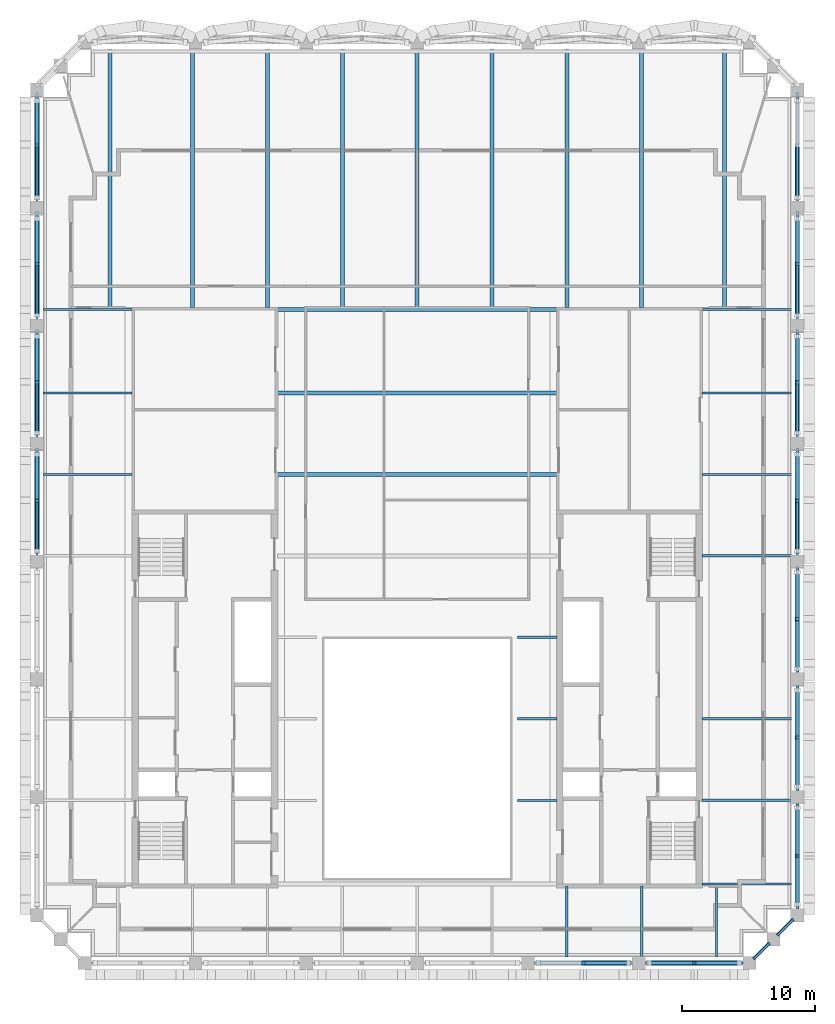
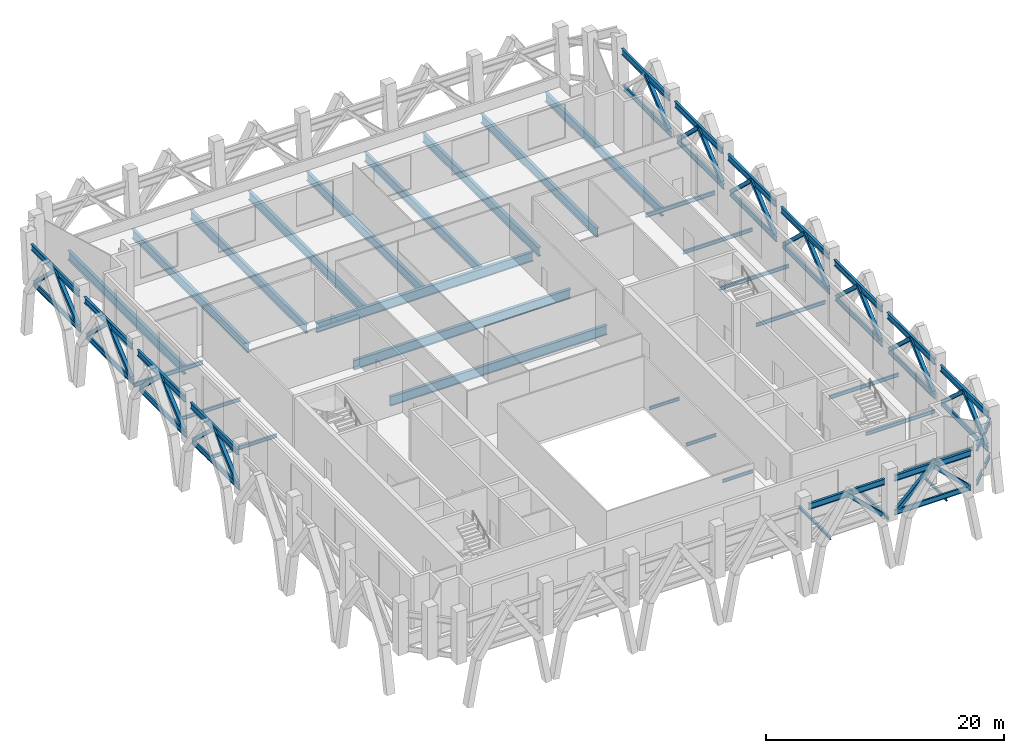
# One storey, part 2 of 13: 57 beams, 24 members.
"""IFC4 building model written with IfcOpenShell, lengths in metres."""

from ifc_helpers import new_model, si_unit, direction, frame, origin, origin_2d, place, context, subcontext, project, spatial, hollow_rectangle, i_section, extrude, material, material_profile, profile_set, type_object, element, save


model = new_model("IFC4")

# Units and contexts
model_context = context("Model", 3, precision=1e-05, world=origin(), true_north=direction((0.0, 1.0)))
body_context = subcontext(model_context, "Body", "Model", "MODEL_VIEW")
ifc_project = project(units=[si_unit("LENGTHUNIT", "METRE"), si_unit("AREAUNIT", "SQUARE_METRE"), si_unit("VOLUMEUNIT", "CUBIC_METRE"), si_unit("PLANEANGLEUNIT", "RADIAN"), si_unit("MASSUNIT", "GRAM", prefix="KILO")], contexts=[model_context])

# Site, building, storey
site_placement = place(None, origin())
site = spatial("IfcSite", under=ifc_project, at=site_placement, CompositionType="ELEMENT")
building_placement = place(site_placement, origin())
building = spatial("IfcBuilding", under=site, at=building_placement, Name="Ogive Exchange Tower", CompositionType="ELEMENT")
storey_placement = place(building_placement, frame((0.0, 0.0, 363.60009765625)))
storey = spatial("IfcBuildingStorey", under=building, at=storey_placement, Name="L80", CompositionType="ELEMENT", Elevation=363.60009765625)

# Beams
ifc_material_1 = material(Name="Steel ASTM A992 Gr50", Category="steel")
ifc_material_profile_1 = material_profile(ifc_material_1, i_section(OverallWidth=0.1669921875, OverallDepth=0.535888671875, WebThickness=0.01025390625, FlangeThickness=0.0166015625, at=origin_2d()), Name="W530x85")
ifc_profile_set_1 = profile_set([ifc_material_profile_1], Name="Steel ASTM A992 Gr50")
beam_type_1 = type_object("IfcBeamType", Name="Belt truss bottom chord W530x85", PredefinedType="BEAM", material=ifc_profile_set_1)
beam_1_placement = place(storey_placement, frame((17.179931640625, -8.39990234375, 0.39990234375), z_axis=(1.0, 0.0, 0.0), x_axis=(0.0, 1.0, 0.0)))
element("IfcBeam", 1, at=beam_1_placement, inside=storey, type_object=beam_type_1, Name="Belt truss bottom chord 6", PredefinedType="BEAM", context=body_context, shape_type="SweptSolid", body=[
    extrude(i_section(OverallWidth=0.1669921875, OverallDepth=0.535888671875, WebThickness=0.01025390625, FlangeThickness=0.0166015625, at=origin_2d()), origin(), (0.0, 0.0, 1.0), 7.39013671875),
])
for number, where, z_axis, x_axis, name in (
    (2, (25.337890625, -8.112060546875, 0.39990234375), (0.707106781187, 0.707106781187, 0.0), (-0.707106781187, 0.707106781187, 0.0), "Belt truss bottom chord 7"),
    (3, (27.137939453125, -6.31201171875, 0.39990234375), (0.707106781187, 0.707106781187, 0.0), (-0.707106781187, 0.707106781187, 0.0), "Belt truss bottom chord 8"),
):
    element("IfcBeam", number, at=place(storey_placement, frame(where, z_axis=z_axis, x_axis=x_axis)), inside=storey, type_object=beam_type_1, Name=name, PredefinedType="BEAM", context=body_context, shape_type="SweptSolid", body=[
        extrude(i_section(OverallWidth=0.1669921875, OverallDepth=0.535888671875, WebThickness=0.01025390625, FlangeThickness=0.0166015625, at=origin_2d()), origin(), (0.0, 0.0, 1.0), 1.731201171875),
    ])
for number, where, z_axis, x_axis, name in (
    (4, (28.64990234375, -4.320068359375, 0.39990234375), (0.0, 1.0, 0.0), (-1.0, 0.0, 0.0), "Belt truss bottom chord 9"),
    (5, (28.64990234375, 4.557861328125, 0.39990234375), (0.0, 1.0, 0.0), (-1.0, 0.0, 0.0), "Belt truss bottom chord 10"),
    (6, (28.64990234375, 13.435791015625, 0.39990234375), (0.0, 1.0, 0.0), (-1.0, 0.0, 0.0), "Belt truss bottom chord 11"),
    (7, (28.64990234375, 22.313720703125, 0.39990234375), (0.0, 1.0, 0.0), (-1.0, 0.0, 0.0), "Belt truss bottom chord 12"),
    (8, (28.64990234375, 31.191650390625, 0.39990234375), (0.0, 1.0, 0.0), (-1.0, 0.0, 0.0), "Belt truss bottom chord 13"),
    (9, (28.64990234375, 40.069580078125, 0.39990234375), (0.0, 1.0, 0.0), (-1.0, 0.0, 0.0), "Belt truss bottom chord 14"),
    (10, (28.64990234375, 48.947509765625, 0.39990234375), (0.0, 1.0, 0.0), (-1.0, 0.0, 0.0), "Belt truss bottom chord 15"),
    (11, (-28.64990234375, 56.865478515625, 0.39990234375), (0.0, -1.0, 0.0), (1.0, 0.0, 0.0), "Belt truss bottom chord 26"),
    (12, (-28.64990234375, 47.987548828125, 0.39990234375), (0.0, -1.0, 0.0), (1.0, 0.0, 0.0), "Belt truss bottom chord 27"),
    (13, (-28.64990234375, 39.109619140625, 0.39990234375), (0.0, -1.0, 0.0), (1.0, 0.0, 0.0), "Belt truss bottom chord 28"),
    (14, (-28.64990234375, 30.231689453125, 0.39990234375), (0.0, -1.0, 0.0), (1.0, 0.0, 0.0), "Belt truss bottom chord 29"),
):
    element("IfcBeam", number, at=place(storey_placement, frame(where, z_axis=z_axis, x_axis=x_axis)), inside=storey, type_object=beam_type_1, Name=name, PredefinedType="BEAM", context=body_context, shape_type="SweptSolid", body=[
        extrude(i_section(OverallWidth=0.1669921875, OverallDepth=0.535888671875, WebThickness=0.01025390625, FlangeThickness=0.0166015625, at=origin_2d()), origin(), (0.0, 0.0, 1.0), 7.91796875),
    ])

# Members
ifc_material_2 = material(Name="Steel ASTM A1085 Gr A", Category="steel")
ifc_material_profile_2 = material_profile(ifc_material_2, hollow_rectangle(XDim=0.35595703125, YDim=0.35595703125, WallThickness=0.015869140625, InnerFilletRadius=0.015869140625, OuterFilletRadius=0.03173828125, at=origin_2d()), Name="HSS355.6x355.6x15.9")
ifc_profile_set_2 = profile_set([ifc_material_profile_2], Name="Steel ASTM A1085 Gr A")
member_type = type_object("IfcMemberType", Name="Belt truss diagonal HSS355.6x355.6x15.9", PredefinedType="BRACE", material=ifc_profile_set_2)
member_1_placement = place(storey_placement, frame((15.922607421875, -8.39990234375, 0.685302734375), z_axis=(-0.721732329908, 0.0, 0.692172264661), x_axis=(0.0, -1.0, 0.0)))
element("IfcMember", 15, at=member_1_placement, inside=storey, type_object=member_type, Name="Belt truss diagonal 5b", PredefinedType="BRACE", context=body_context, shape_type="SweptSolid", body=[
    extrude(hollow_rectangle(XDim=0.35595703125, YDim=0.35595703125, WallThickness=0.015869140625, InnerFilletRadius=0.015869140625, OuterFilletRadius=0.03173828125, at=origin_2d()), origin(), (0.0, 0.0, 1.0), 4.707763671875),
])
for number, where, z_axis, x_axis, name in (
    (16, (17.4775390625, -8.39990234375, 0.685302734375), (0.721707482374, 0.0, 0.692198172409), (0.0, 1.0, 0.0), "Belt truss diagonal 6a"),
    (17, (24.2724609375, -8.39990234375, 0.685302734375), (-0.721707482374, 0.0, 0.692198172409), (0.0, -1.0, 0.0), "Belt truss diagonal 6b"),
):
    element("IfcMember", number, at=place(storey_placement, frame(where, z_axis=z_axis, x_axis=x_axis)), inside=storey, type_object=member_type, Name=name, PredefinedType="BRACE", context=body_context, shape_type="SweptSolid", body=[
        extrude(hollow_rectangle(XDim=0.35595703125, YDim=0.35595703125, WallThickness=0.015869140625, InnerFilletRadius=0.015869140625, OuterFilletRadius=0.03173828125, at=origin_2d()), origin(), (0.0, 0.0, 1.0), 4.70751953125),
    ])
member_2_placement = place(storey_placement, frame((28.64990234375, -4.000244140625, 0.6845703125), z_axis=(0.0, 0.74701904863, 0.664802633105), x_axis=(-1.0, 0.0, 0.0)))
element("IfcMember", 18, at=member_2_placement, inside=storey, type_object=member_type, Name="Belt truss diagonal 9a", PredefinedType="BRACE", context=body_context, shape_type="SweptSolid", body=[
    extrude(hollow_rectangle(XDim=0.35595703125, YDim=0.35595703125, WallThickness=0.015869140625, InnerFilletRadius=0.015869140625, OuterFilletRadius=0.03173828125, at=origin_2d()), origin(), (0.0, 0.0, 1.0), 4.902587890625),
])
member_3_placement = place(storey_placement, frame((28.64990234375, 3.28173828125, 0.6845703125), z_axis=(0.0, -0.743129630386, 0.669147481833), x_axis=(1.0, 0.0, 0.0)))
element("IfcMember", 19, at=member_3_placement, inside=storey, type_object=member_type, Name="Belt truss diagonal 9b", PredefinedType="BRACE", context=body_context, shape_type="SweptSolid", body=[
    extrude(hollow_rectangle(XDim=0.35595703125, YDim=0.35595703125, WallThickness=0.015869140625, InnerFilletRadius=0.015869140625, OuterFilletRadius=0.03173828125, at=origin_2d()), origin(), (0.0, 0.0, 1.0), 4.870849609375),
])
member_4_placement = place(storey_placement, frame((28.64990234375, 4.88134765625, 0.684326171875), z_axis=(0.0, 0.750765534704, 0.660568779084), x_axis=(-1.0, 0.0, 0.0)))
element("IfcMember", 20, at=member_4_placement, inside=storey, type_object=member_type, Name="Belt truss diagonal 10a", PredefinedType="BRACE", context=body_context, shape_type="SweptSolid", body=[
    extrude(hollow_rectangle(XDim=0.35595703125, YDim=0.35595703125, WallThickness=0.015869140625, InnerFilletRadius=0.015869140625, OuterFilletRadius=0.03173828125, at=origin_2d()), origin(), (0.0, 0.0, 1.0), 4.934326171875),
])
member_5_placement = place(storey_placement, frame((28.64990234375, 12.1630859375, 0.684814453125), z_axis=(0.0, -0.739211407114, 0.673473455744), x_axis=(1.0, 0.0, 0.0)))
element("IfcMember", 21, at=member_5_placement, inside=storey, type_object=member_type, Name="Belt truss diagonal 10b", PredefinedType="BRACE", context=body_context, shape_type="SweptSolid", body=[
    extrude(hollow_rectangle(XDim=0.35595703125, YDim=0.35595703125, WallThickness=0.015869140625, InnerFilletRadius=0.015869140625, OuterFilletRadius=0.03173828125, at=origin_2d()), origin(), (0.0, 0.0, 1.0), 4.839111328125),
])
member_6_placement = place(storey_placement, frame((28.64990234375, 13.7626953125, 0.684326171875), z_axis=(0.0, 0.75450709433, 0.656291889791), x_axis=(-1.0, 0.0, 0.0)))
element("IfcMember", 22, at=member_6_placement, inside=storey, type_object=member_type, Name="Belt truss diagonal 11a", PredefinedType="BRACE", context=body_context, shape_type="SweptSolid", body=[
    extrude(hollow_rectangle(XDim=0.35595703125, YDim=0.35595703125, WallThickness=0.015869140625, InnerFilletRadius=0.015869140625, OuterFilletRadius=0.03173828125, at=origin_2d()), origin(), (0.0, 0.0, 1.0), 4.966552734375),
])
member_7_placement = place(storey_placement, frame((28.64990234375, 21.044677734375, 0.684814453125), z_axis=(0.0, -0.735190744235, 0.677860287664), x_axis=(1.0, 0.0, 0.0)))
element("IfcMember", 23, at=member_7_placement, inside=storey, type_object=member_type, Name="Belt truss diagonal 11b", PredefinedType="BRACE", context=body_context, shape_type="SweptSolid", body=[
    extrude(hollow_rectangle(XDim=0.35595703125, YDim=0.35595703125, WallThickness=0.015869140625, InnerFilletRadius=0.015869140625, OuterFilletRadius=0.03173828125, at=origin_2d()), origin(), (0.0, 0.0, 1.0), 4.807861328125),
])
member_8_placement = place(storey_placement, frame((28.64990234375, 22.644287109375, 0.68408203125), z_axis=(0.0, 0.758110823606, 0.652125738744), x_axis=(-1.0, 0.0, 0.0)))
element("IfcMember", 24, at=member_8_placement, inside=storey, type_object=member_type, Name="Belt truss diagonal 12a", PredefinedType="BRACE", context=body_context, shape_type="SweptSolid", body=[
    extrude(hollow_rectangle(XDim=0.35595703125, YDim=0.35595703125, WallThickness=0.015869140625, InnerFilletRadius=0.015869140625, OuterFilletRadius=0.03173828125, at=origin_2d()), origin(), (0.0, 0.0, 1.0), 4.998779296875),
])
member_9_placement = place(storey_placement, frame((28.64990234375, 29.92626953125, 0.68505859375), z_axis=(0.0, -0.73114024493, 0.682227192542), x_axis=(1.0, 0.0, 0.0)))
element("IfcMember", 25, at=member_9_placement, inside=storey, type_object=member_type, Name="Belt truss diagonal 12b", PredefinedType="BRACE", context=body_context, shape_type="SweptSolid", body=[
    extrude(hollow_rectangle(XDim=0.35595703125, YDim=0.35595703125, WallThickness=0.015869140625, InnerFilletRadius=0.015869140625, OuterFilletRadius=0.03173828125, at=origin_2d()), origin(), (0.0, 0.0, 1.0), 4.776611328125),
])
member_10_placement = place(storey_placement, frame((28.64990234375, 31.52587890625, 0.68408203125), z_axis=(0.0, 0.761690213791, 0.647941369427), x_axis=(-1.0, 0.0, 0.0)))
element("IfcMember", 26, at=member_10_placement, inside=storey, type_object=member_type, Name="Belt truss diagonal 13a", PredefinedType="BRACE", context=body_context, shape_type="SweptSolid", body=[
    extrude(hollow_rectangle(XDim=0.35595703125, YDim=0.35595703125, WallThickness=0.015869140625, InnerFilletRadius=0.015869140625, OuterFilletRadius=0.03173828125, at=origin_2d()), origin(), (0.0, 0.0, 1.0), 5.031005859375),
])
member_11_placement = place(storey_placement, frame((28.64990234375, 38.8076171875, 0.68505859375), z_axis=(0.0, -0.726936104423, 0.686705104165), x_axis=(1.0, 0.0, 0.0)))
element("IfcMember", 27, at=member_11_placement, inside=storey, type_object=member_type, Name="Belt truss diagonal 13b", PredefinedType="BRACE", context=body_context, shape_type="SweptSolid", body=[
    extrude(hollow_rectangle(XDim=0.35595703125, YDim=0.35595703125, WallThickness=0.015869140625, InnerFilletRadius=0.015869140625, OuterFilletRadius=0.03173828125, at=origin_2d()), origin(), (0.0, 0.0, 1.0), 4.74560546875),
])
member_12_placement = place(storey_placement, frame((28.64990234375, 40.4072265625, 0.68408203125), z_axis=(0.0, 0.765201203046, 0.643791207503), x_axis=(-1.0, 0.0, 0.0)))
element("IfcMember", 28, at=member_12_placement, inside=storey, type_object=member_type, Name="Belt truss diagonal 14a", PredefinedType="BRACE", context=body_context, shape_type="SweptSolid", body=[
    extrude(hollow_rectangle(XDim=0.35595703125, YDim=0.35595703125, WallThickness=0.015869140625, InnerFilletRadius=0.015869140625, OuterFilletRadius=0.03173828125, at=origin_2d()), origin(), (0.0, 0.0, 1.0), 5.0634765625),
])
member_13_placement = place(storey_placement, frame((28.64990234375, 47.689208984375, 0.685302734375), z_axis=(0.0, -0.722723947005, 0.69113681455), x_axis=(1.0, 0.0, 0.0)))
element("IfcMember", 29, at=member_13_placement, inside=storey, type_object=member_type, Name="Belt truss diagonal 14b", PredefinedType="BRACE", context=body_context, shape_type="SweptSolid", body=[
    extrude(hollow_rectangle(XDim=0.35595703125, YDim=0.35595703125, WallThickness=0.015869140625, InnerFilletRadius=0.015869140625, OuterFilletRadius=0.03173828125, at=origin_2d()), origin(), (0.0, 0.0, 1.0), 4.71484375),
])
member_14_placement = place(storey_placement, frame((28.64990234375, 49.288818359375, 0.683837890625), z_axis=(0.0, 0.768621664089, 0.639703632547), x_axis=(-1.0, 0.0, 0.0)))
element("IfcMember", 30, at=member_14_placement, inside=storey, type_object=member_type, Name="Belt truss diagonal 15a", PredefinedType="BRACE", context=body_context, shape_type="SweptSolid", body=[
    extrude(hollow_rectangle(XDim=0.35595703125, YDim=0.35595703125, WallThickness=0.015869140625, InnerFilletRadius=0.015869140625, OuterFilletRadius=0.03173828125, at=origin_2d()), origin(), (0.0, 0.0, 1.0), 5.09619140625),
])
member_15_placement = place(storey_placement, frame((-28.64990234375, 56.57080078125, 0.685302734375), z_axis=(0.0, -0.718377770288, 0.695653203224), x_axis=(1.0, 0.0, 0.0)))
element("IfcMember", 31, at=member_15_placement, inside=storey, type_object=member_type, Name="Belt truss diagonal 26a", PredefinedType="BRACE", context=body_context, shape_type="SweptSolid", body=[
    extrude(hollow_rectangle(XDim=0.35595703125, YDim=0.35595703125, WallThickness=0.015869140625, InnerFilletRadius=0.015869140625, OuterFilletRadius=0.03173828125, at=origin_2d()), origin(), (0.0, 0.0, 1.0), 4.68408203125),
])
member_16_placement = place(storey_placement, frame((-28.64990234375, 49.288818359375, 0.683837890625), z_axis=(0.0, 0.768621664089, 0.639703632547), x_axis=(-1.0, 0.0, 0.0)))
element("IfcMember", 32, at=member_16_placement, inside=storey, type_object=member_type, Name="Belt truss diagonal 26b", PredefinedType="BRACE", context=body_context, shape_type="SweptSolid", body=[
    extrude(hollow_rectangle(XDim=0.35595703125, YDim=0.35595703125, WallThickness=0.015869140625, InnerFilletRadius=0.015869140625, OuterFilletRadius=0.03173828125, at=origin_2d()), origin(), (0.0, 0.0, 1.0), 5.09619140625),
])
member_17_placement = place(storey_placement, frame((-28.64990234375, 47.689208984375, 0.685302734375), z_axis=(0.0, -0.722723947005, 0.69113681455), x_axis=(1.0, 0.0, 0.0)))
element("IfcMember", 33, at=member_17_placement, inside=storey, type_object=member_type, Name="Belt truss diagonal 27a", PredefinedType="BRACE", context=body_context, shape_type="SweptSolid", body=[
    extrude(hollow_rectangle(XDim=0.35595703125, YDim=0.35595703125, WallThickness=0.015869140625, InnerFilletRadius=0.015869140625, OuterFilletRadius=0.03173828125, at=origin_2d()), origin(), (0.0, 0.0, 1.0), 4.71484375),
])
member_18_placement = place(storey_placement, frame((-28.64990234375, 40.4072265625, 0.68408203125), z_axis=(0.0, 0.765201203046, 0.643791207503), x_axis=(-1.0, 0.0, 0.0)))
element("IfcMember", 34, at=member_18_placement, inside=storey, type_object=member_type, Name="Belt truss diagonal 27b", PredefinedType="BRACE", context=body_context, shape_type="SweptSolid", body=[
    extrude(hollow_rectangle(XDim=0.35595703125, YDim=0.35595703125, WallThickness=0.015869140625, InnerFilletRadius=0.015869140625, OuterFilletRadius=0.03173828125, at=origin_2d()), origin(), (0.0, 0.0, 1.0), 5.0634765625),
])
member_19_placement = place(storey_placement, frame((-28.64990234375, 38.8076171875, 0.68505859375), z_axis=(0.0, -0.726936104423, 0.686705104165), x_axis=(1.0, 0.0, 0.0)))
element("IfcMember", 35, at=member_19_placement, inside=storey, type_object=member_type, Name="Belt truss diagonal 28a", PredefinedType="BRACE", context=body_context, shape_type="SweptSolid", body=[
    extrude(hollow_rectangle(XDim=0.35595703125, YDim=0.35595703125, WallThickness=0.015869140625, InnerFilletRadius=0.015869140625, OuterFilletRadius=0.03173828125, at=origin_2d()), origin(), (0.0, 0.0, 1.0), 4.74560546875),
])
member_20_placement = place(storey_placement, frame((-28.64990234375, 31.52587890625, 0.68408203125), z_axis=(0.0, 0.761690213791, 0.647941369427), x_axis=(-1.0, 0.0, 0.0)))
element("IfcMember", 36, at=member_20_placement, inside=storey, type_object=member_type, Name="Belt truss diagonal 28b", PredefinedType="BRACE", context=body_context, shape_type="SweptSolid", body=[
    extrude(hollow_rectangle(XDim=0.35595703125, YDim=0.35595703125, WallThickness=0.015869140625, InnerFilletRadius=0.015869140625, OuterFilletRadius=0.03173828125, at=origin_2d()), origin(), (0.0, 0.0, 1.0), 5.031005859375),
])
member_21_placement = place(storey_placement, frame((-28.64990234375, 29.92626953125, 0.68505859375), z_axis=(0.0, -0.73114024493, 0.682227192542), x_axis=(1.0, 0.0, 0.0)))
element("IfcMember", 37, at=member_21_placement, inside=storey, type_object=member_type, Name="Belt truss diagonal 29a", PredefinedType="BRACE", context=body_context, shape_type="SweptSolid", body=[
    extrude(hollow_rectangle(XDim=0.35595703125, YDim=0.35595703125, WallThickness=0.015869140625, InnerFilletRadius=0.015869140625, OuterFilletRadius=0.03173828125, at=origin_2d()), origin(), (0.0, 0.0, 1.0), 4.776611328125),
])
member_22_placement = place(storey_placement, frame((-28.64990234375, 22.644287109375, 0.68408203125), z_axis=(0.0, 0.758110823606, 0.652125738744), x_axis=(-1.0, 0.0, 0.0)))
element("IfcMember", 38, at=member_22_placement, inside=storey, type_object=member_type, Name="Belt truss diagonal 29b", PredefinedType="BRACE", context=body_context, shape_type="SweptSolid", body=[
    extrude(hollow_rectangle(XDim=0.35595703125, YDim=0.35595703125, WallThickness=0.015869140625, InnerFilletRadius=0.015869140625, OuterFilletRadius=0.03173828125, at=origin_2d()), origin(), (0.0, 0.0, 1.0), 4.998779296875),
])

# Beams
ifc_material_profile_3 = material_profile(ifc_material_1, i_section(OverallWidth=0.22900390625, OverallDepth=0.612060546875, WebThickness=0.011962890625, FlangeThickness=0.01953125, at=origin_2d()), Name="W610x125")
ifc_profile_set_3 = profile_set([ifc_material_profile_3], Name="Steel ASTM A992 Gr50")
beam_type_2 = type_object("IfcBeamType", Name="Belt truss top chord W610x125", PredefinedType="BEAM", material=ifc_profile_set_3)
beam_2_placement = place(storey_placement, frame((8.830078125, -8.39990234375, 3.94384765625), z_axis=(1.0, 0.0, 0.0), x_axis=(0.0, 1.0, 0.0)))
element("IfcBeam", 39, at=beam_2_placement, inside=storey, type_object=beam_type_2, Name="Belt truss top chord 5", PredefinedType="BEAM", context=body_context, shape_type="SweptSolid", body=[
    extrude(i_section(OverallWidth=0.22900390625, OverallDepth=0.612060546875, WebThickness=0.011962890625, FlangeThickness=0.01953125, at=origin_2d()), origin(), (0.0, 0.0, 1.0), 7.389892578125),
])
beam_3_placement = place(storey_placement, frame((17.179931640625, -8.39990234375, 3.94384765625), z_axis=(1.0, 0.0, 0.0), x_axis=(0.0, 1.0, 0.0)))
element("IfcBeam", 40, at=beam_3_placement, inside=storey, type_object=beam_type_2, Name="Belt truss top chord 6", PredefinedType="BEAM", context=body_context, shape_type="SweptSolid", body=[
    extrude(i_section(OverallWidth=0.22900390625, OverallDepth=0.612060546875, WebThickness=0.011962890625, FlangeThickness=0.01953125, at=origin_2d()), origin(), (0.0, 0.0, 1.0), 7.39013671875),
])
for number, where, z_axis, x_axis, name in (
    (41, (25.337890625, -8.112060546875, 3.94384765625), (0.707106781187, 0.707106781187, 0.0), (-0.707106781187, 0.707106781187, 0.0), "Belt truss top chord 7"),
    (42, (27.137939453125, -6.31201171875, 3.94384765625), (0.707106781187, 0.707106781187, 0.0), (-0.707106781187, 0.707106781187, 0.0), "Belt truss top chord 8"),
):
    element("IfcBeam", number, at=place(storey_placement, frame(where, z_axis=z_axis, x_axis=x_axis)), inside=storey, type_object=beam_type_2, Name=name, PredefinedType="BEAM", context=body_context, shape_type="SweptSolid", body=[
        extrude(i_section(OverallWidth=0.22900390625, OverallDepth=0.612060546875, WebThickness=0.011962890625, FlangeThickness=0.01953125, at=origin_2d()), origin(), (0.0, 0.0, 1.0), 1.731201171875),
    ])
for number, where, z_axis, x_axis, name in (
    (43, (28.64990234375, -4.320068359375, 3.94384765625), (0.0, 1.0, 0.0), (-1.0, 0.0, 0.0), "Belt truss top chord 9"),
    (44, (28.64990234375, 4.60400390625, 3.94384765625), (0.0, 1.0, 0.0), (-1.0, 0.0, 0.0), "Belt truss top chord 10"),
    (45, (28.64990234375, 13.52783203125, 3.94384765625), (0.0, 1.0, 0.0), (-1.0, 0.0, 0.0), "Belt truss top chord 11"),
    (46, (28.64990234375, 22.451904296875, 3.94384765625), (0.0, 1.0, 0.0), (-1.0, 0.0, 0.0), "Belt truss top chord 12"),
    (47, (28.64990234375, 31.375732421875, 3.94384765625), (0.0, 1.0, 0.0), (-1.0, 0.0, 0.0), "Belt truss top chord 13"),
    (48, (28.64990234375, 40.2998046875, 3.94384765625), (0.0, 1.0, 0.0), (-1.0, 0.0, 0.0), "Belt truss top chord 14"),
    (49, (28.64990234375, 49.2236328125, 3.94384765625), (0.0, 1.0, 0.0), (-1.0, 0.0, 0.0), "Belt truss top chord 15"),
    (50, (-28.64990234375, 57.1875, 3.94384765625), (0.0, -1.0, 0.0), (1.0, 0.0, 0.0), "Belt truss top chord 26"),
    (51, (-28.64990234375, 48.263671875, 3.94384765625), (0.0, -1.0, 0.0), (1.0, 0.0, 0.0), "Belt truss top chord 27"),
    (52, (-28.64990234375, 39.339599609375, 3.94384765625), (0.0, -1.0, 0.0), (1.0, 0.0, 0.0), "Belt truss top chord 28"),
    (53, (-28.64990234375, 30.415771484375, 3.94384765625), (0.0, -1.0, 0.0), (1.0, 0.0, 0.0), "Belt truss top chord 29"),
):
    element("IfcBeam", number, at=place(storey_placement, frame(where, z_axis=z_axis, x_axis=x_axis)), inside=storey, type_object=beam_type_2, Name=name, PredefinedType="BEAM", context=body_context, shape_type="SweptSolid", body=[
        extrude(i_section(OverallWidth=0.22900390625, OverallDepth=0.612060546875, WebThickness=0.011962890625, FlangeThickness=0.01953125, at=origin_2d()), origin(), (0.0, 0.0, 1.0), 7.9638671875),
    ])
ifc_material_profile_4 = material_profile(ifc_material_1, i_section(OverallWidth=0.300048828125, OverallDepth=0.97998046875, WebThickness=0.0166015625, FlangeThickness=0.026123046875, at=origin_2d()), Name="W1000x249")
ifc_profile_set_4 = profile_set([ifc_material_profile_4], Name="Steel ASTM A992 Gr50")
beam_type_3 = type_object("IfcBeamType", Name="Floor beam W1000x249", PredefinedType="JOIST", material=ifc_profile_set_4)
for number, where, z_axis, x_axis, name in (
    (54, (-10.52001953125, 28.422607421875, -0.7900390625), (1.0, 0.0, 0.0), (0.0, 1.0, 0.0), "Floor beam"),
    (55, (-10.52001953125, 34.55615234375, -0.7900390625), (1.0, 0.0, 0.0), (0.0, 1.0, 0.0), "Floor beam"),
):
    element("IfcBeam", number, at=place(storey_placement, frame(where, z_axis=z_axis, x_axis=x_axis)), inside=storey, type_object=beam_type_3, Name=name, PredefinedType="JOIST", context=body_context, shape_type="SweptSolid", body=[
        extrude(i_section(OverallWidth=0.300048828125, OverallDepth=0.97998046875, WebThickness=0.0166015625, FlangeThickness=0.026123046875, at=origin_2d()), origin(), (0.0, 0.0, 1.0), 21.0400390625),
    ])
ifc_material_profile_5 = material_profile(ifc_material_1, i_section(OverallWidth=0.1650390625, OverallDepth=0.31005859375, WebThickness=0.005859375, FlangeThickness=0.009765625, at=origin_2d()), Name="W310x38.7")
ifc_profile_set_5 = profile_set([ifc_material_profile_5], Name="Steel ASTM A992 Gr50")
beam_type_4 = type_object("IfcBeamType", Name="Floor beam W310x38.7", PredefinedType="JOIST", material=ifc_profile_set_5)
for number, where, z_axis, x_axis, name in (
    (56, (7.570068359375, 3.8583984375, -0.455078125), (1.0, 0.0, 0.0), (0.0, 1.0, 0.0), "Floor beam"),
    (57, (7.570068359375, 10.006591796875, -0.455078125), (1.0, 0.0, 0.0), (0.0, 1.0, 0.0), "Floor beam"),
):
    element("IfcBeam", number, at=place(storey_placement, frame(where, z_axis=z_axis, x_axis=x_axis)), inside=storey, type_object=beam_type_4, Name=name, PredefinedType="JOIST", context=body_context, shape_type="SweptSolid", body=[
        extrude(i_section(OverallWidth=0.1650390625, OverallDepth=0.31005859375, WebThickness=0.005859375, FlangeThickness=0.009765625, at=origin_2d()), origin(), (0.0, 0.0, 1.0), 2.949951171875),
    ])
for number, where, z_axis, x_axis, name in (
    (58, (11.280029296875, -7.949951171875, -0.455078125), (0.0, 1.0, 0.0), (-1.0, 0.0, 0.0), "Floor beam"),
    (59, (16.919921875, -7.949951171875, -0.455078125), (0.0, 1.0, 0.0), (-1.0, 0.0, 0.0), "Floor beam"),
):
    element("IfcBeam", number, at=place(storey_placement, frame(where, z_axis=z_axis, x_axis=x_axis)), inside=storey, type_object=beam_type_4, Name=name, PredefinedType="JOIST", context=body_context, shape_type="SweptSolid", body=[
        extrude(i_section(OverallWidth=0.1650390625, OverallDepth=0.31005859375, WebThickness=0.005859375, FlangeThickness=0.009765625, at=origin_2d()), origin(), (0.0, 0.0, 1.0), 5.349853515625),
    ])
beam_4_placement = place(storey_placement, frame((22.56005859375, -7.949951171875, -0.455078125), z_axis=(0.0, 1.0, 0.0), x_axis=(-1.0, 0.0, 0.0)))
element("IfcBeam", 60, at=beam_4_placement, inside=storey, type_object=beam_type_4, Name="Floor beam", PredefinedType="JOIST", context=body_context, shape_type="SweptSolid", body=[
    extrude(i_section(OverallWidth=0.1650390625, OverallDepth=0.31005859375, WebThickness=0.005859375, FlangeThickness=0.009765625, at=origin_2d()), origin(), (0.0, 0.0, 1.0), 5.416015625),
])
ifc_material_profile_6 = material_profile(ifc_material_1, i_section(OverallWidth=0.1708984375, OverallDepth=0.35595703125, WebThickness=0.00732421875, FlangeThickness=0.01171875, at=origin_2d()), Name="W360x51")
ifc_profile_set_6 = profile_set([ifc_material_profile_6], Name="Steel ASTM A992 Gr50")
beam_type_5 = type_object("IfcBeamType", Name="Floor beam W360x51", PredefinedType="JOIST", material=ifc_profile_set_6)
for number, where, z_axis, x_axis, name in (
    (61, (21.47998046875, 3.8583984375, -0.47802734375), (1.0, 0.0, 0.0), (0.0, 1.0, 0.0), "Floor beam"),
    (62, (21.47998046875, 10.006591796875, -0.47802734375), (1.0, 0.0, 0.0), (0.0, 1.0, 0.0), "Floor beam"),
    (63, (21.47998046875, 22.288818359375, -0.47802734375), (1.0, 0.0, 0.0), (0.0, 1.0, 0.0), "Floor beam"),
    (64, (-28.199951171875, 28.422607421875, -0.47802734375), (1.0, 0.0, 0.0), (0.0, 1.0, 0.0), "Floor beam"),
    (65, (21.47998046875, 28.422607421875, -0.47802734375), (1.0, 0.0, 0.0), (0.0, 1.0, 0.0), "Floor beam"),
    (66, (-28.199951171875, 34.55615234375, -0.47802734375), (1.0, 0.0, 0.0), (0.0, 1.0, 0.0), "Floor beam"),
    (67, (21.47998046875, 34.55615234375, -0.47802734375), (1.0, 0.0, 0.0), (0.0, 1.0, 0.0), "Floor beam"),
):
    element("IfcBeam", number, at=place(storey_placement, frame(where, z_axis=z_axis, x_axis=x_axis)), inside=storey, type_object=beam_type_5, Name=name, PredefinedType="JOIST", context=body_context, shape_type="SweptSolid", body=[
        extrude(i_section(OverallWidth=0.1708984375, OverallDepth=0.35595703125, WebThickness=0.00732421875, FlangeThickness=0.01171875, at=origin_2d()), origin(), (0.0, 0.0, 1.0), 6.719970703125),
    ])
ifc_material_profile_7 = material_profile(ifc_material_1, i_section(OverallWidth=0.306884765625, OverallDepth=0.927001953125, WebThickness=0.019287109375, FlangeThickness=0.031982421875, at=origin_2d()), Name="W920x289")
ifc_profile_set_7 = profile_set([ifc_material_profile_7], Name="Steel ASTM A992 Gr50")
beam_type_6 = type_object("IfcBeamType", Name="Floor beam W920x289", PredefinedType="JOIST", material=ifc_profile_set_7)
beam_5_placement = place(storey_placement, frame((-23.159912109375, 40.93408203125, -0.763671875), z_axis=(0.0, 1.0, 0.0), x_axis=(-1.0, 0.0, 0.0)))
element("IfcBeam", 68, at=beam_5_placement, inside=storey, type_object=beam_type_6, Name="Floor beam", PredefinedType="JOIST", context=body_context, shape_type="SweptSolid", body=[
    extrude(i_section(OverallWidth=0.306884765625, OverallDepth=0.927001953125, WebThickness=0.019287109375, FlangeThickness=0.031982421875, at=origin_2d()), origin(), (0.0, 0.0, 1.0), 19.52490234375),
])
for number, where, z_axis, x_axis, name in (
    (69, (-16.919921875, 41.0, -0.763671875), (0.0, 1.0, 0.0), (-1.0, 0.0, 0.0), "Floor beam"),
    (70, (-11.280029296875, 41.0, -0.763671875), (0.0, 1.0, 0.0), (-1.0, 0.0, 0.0), "Floor beam"),
):
    element("IfcBeam", number, at=place(storey_placement, frame(where, z_axis=z_axis, x_axis=x_axis)), inside=storey, type_object=beam_type_6, Name=name, PredefinedType="JOIST", context=body_context, shape_type="SweptSolid", body=[
        extrude(i_section(OverallWidth=0.306884765625, OverallDepth=0.927001953125, WebThickness=0.019287109375, FlangeThickness=0.031982421875, at=origin_2d()), origin(), (0.0, 0.0, 1.0), 19.458984375),
    ])
for number, where, z_axis, x_axis, name in (
    (71, (-5.639892578125, 40.9951171875, -0.763671875), (0.0, 1.0, 0.0), (-1.0, 0.0, 0.0), "Floor beam"),
    (72, (0.0, 40.9951171875, -0.763671875), (0.0, 1.0, 0.0), (-1.0, 0.0, 0.0), "Floor beam"),
    (73, (5.639892578125, 40.9951171875, -0.763671875), (0.0, 1.0, 0.0), (-1.0, 0.0, 0.0), "Floor beam"),
):
    element("IfcBeam", number, at=place(storey_placement, frame(where, z_axis=z_axis, x_axis=x_axis)), inside=storey, type_object=beam_type_6, Name=name, PredefinedType="JOIST", context=body_context, shape_type="SweptSolid", body=[
        extrude(i_section(OverallWidth=0.306884765625, OverallDepth=0.927001953125, WebThickness=0.019287109375, FlangeThickness=0.031982421875, at=origin_2d()), origin(), (0.0, 0.0, 1.0), 19.4638671875),
    ])
for number, where, z_axis, x_axis, name in (
    (74, (11.280029296875, 41.0, -0.763671875), (0.0, 1.0, 0.0), (-1.0, 0.0, 0.0), "Floor beam"),
    (75, (16.919921875, 41.0, -0.763671875), (0.0, 1.0, 0.0), (-1.0, 0.0, 0.0), "Floor beam"),
):
    element("IfcBeam", number, at=place(storey_placement, frame(where, z_axis=z_axis, x_axis=x_axis)), inside=storey, type_object=beam_type_6, Name=name, PredefinedType="JOIST", context=body_context, shape_type="SweptSolid", body=[
        extrude(i_section(OverallWidth=0.306884765625, OverallDepth=0.927001953125, WebThickness=0.019287109375, FlangeThickness=0.031982421875, at=origin_2d()), origin(), (0.0, 0.0, 1.0), 19.458984375),
    ])
beam_6_placement = place(storey_placement, frame((23.159912109375, 40.93408203125, -0.763671875), z_axis=(0.0, 1.0, 0.0), x_axis=(-1.0, 0.0, 0.0)))
element("IfcBeam", 76, at=beam_6_placement, inside=storey, type_object=beam_type_6, Name="Floor beam", PredefinedType="JOIST", context=body_context, shape_type="SweptSolid", body=[
    extrude(i_section(OverallWidth=0.306884765625, OverallDepth=0.927001953125, WebThickness=0.019287109375, FlangeThickness=0.031982421875, at=origin_2d()), origin(), (0.0, 0.0, 1.0), 19.52490234375),
])
ifc_material_profile_8 = material_profile(ifc_material_1, i_section(OverallWidth=0.300048828125, OverallDepth=0.97998046875, WebThickness=0.0166015625, FlangeThickness=0.026123046875, at=origin_2d()), Name="W1000x249")
ifc_profile_set_8 = profile_set([ifc_material_profile_8], Name="Steel ASTM A992 Gr50")
beam_type_7 = type_object("IfcBeamType", Name="Girder W1000x249", PredefinedType="BEAM", material=ifc_profile_set_8)
beam_7_placement = place(storey_placement, frame((-10.52001953125, 40.844970703125, -0.7900390625), z_axis=(1.0, 0.0, 0.0), x_axis=(0.0, 1.0, 0.0)))
element("IfcBeam", 77, at=beam_7_placement, inside=storey, type_object=beam_type_7, Name="Header girder", PredefinedType="BEAM", context=body_context, shape_type="SweptSolid", body=[
    extrude(i_section(OverallWidth=0.300048828125, OverallDepth=0.97998046875, WebThickness=0.0166015625, FlangeThickness=0.026123046875, at=origin_2d()), origin(), (0.0, 0.0, 1.0), 21.0400390625),
])
ifc_material_profile_9 = material_profile(ifc_material_1, i_section(OverallWidth=0.1650390625, OverallDepth=0.31005859375, WebThickness=0.005859375, FlangeThickness=0.009765625, at=origin_2d()), Name="W310x38.7")
ifc_profile_set_9 = profile_set([ifc_material_profile_9], Name="Steel ASTM A992 Gr50")
beam_type_8 = type_object("IfcBeamType", Name="Girder W310x38.7", PredefinedType="BEAM", material=ifc_profile_set_9)
beam_8_placement = place(storey_placement, frame((7.570068359375, 16.155029296875, -0.455078125), z_axis=(1.0, 0.0, 0.0), x_axis=(0.0, 1.0, 0.0)))
element("IfcBeam", 78, at=beam_8_placement, inside=storey, type_object=beam_type_8, Name="Trimmer girder", PredefinedType="BEAM", context=body_context, shape_type="SweptSolid", body=[
    extrude(i_section(OverallWidth=0.1650390625, OverallDepth=0.31005859375, WebThickness=0.005859375, FlangeThickness=0.009765625, at=origin_2d()), origin(), (0.0, 0.0, 1.0), 2.949951171875),
])
ifc_material_profile_10 = material_profile(ifc_material_1, i_section(OverallWidth=0.177978515625, OverallDepth=0.406005859375, WebThickness=0.0078125, FlangeThickness=0.0126953125, at=origin_2d()), Name="W410x60")
ifc_profile_set_10 = profile_set([ifc_material_profile_10], Name="Steel ASTM A992 Gr50")
beam_type_9 = type_object("IfcBeamType", Name="Girder W410x60", PredefinedType="BEAM", material=ifc_profile_set_10)
for number, where, z_axis, x_axis, name in (
    (79, (21.47998046875, -2.445068359375, -0.503173828125), (1.0, 0.0, 0.0), (0.0, 1.0, 0.0), "Header girder"),
    (80, (-28.199951171875, 40.844970703125, -0.503173828125), (1.0, 0.0, 0.0), (0.0, 1.0, 0.0), "Header girder"),
    (81, (21.47998046875, 40.844970703125, -0.503173828125), (1.0, 0.0, 0.0), (0.0, 1.0, 0.0), "Header girder"),
):
    element("IfcBeam", number, at=place(storey_placement, frame(where, z_axis=z_axis, x_axis=x_axis)), inside=storey, type_object=beam_type_9, Name=name, PredefinedType="BEAM", context=body_context, shape_type="SweptSolid", body=[
        extrude(i_section(OverallWidth=0.177978515625, OverallDepth=0.406005859375, WebThickness=0.0078125, FlangeThickness=0.0126953125, at=origin_2d()), origin(), (0.0, 0.0, 1.0), 6.719970703125),
    ])

save(model, "model.ifc")
